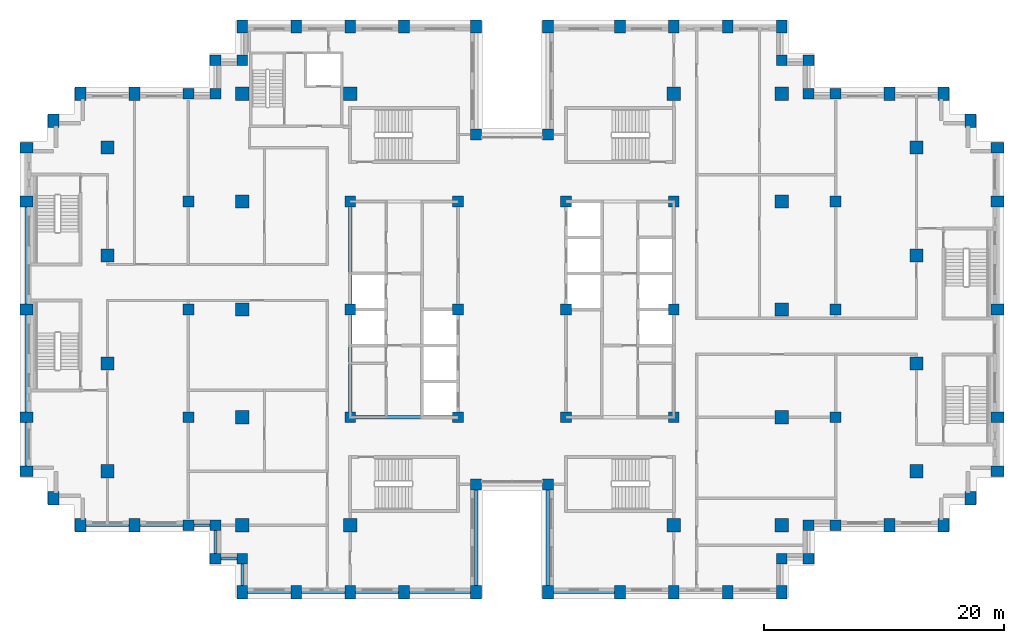
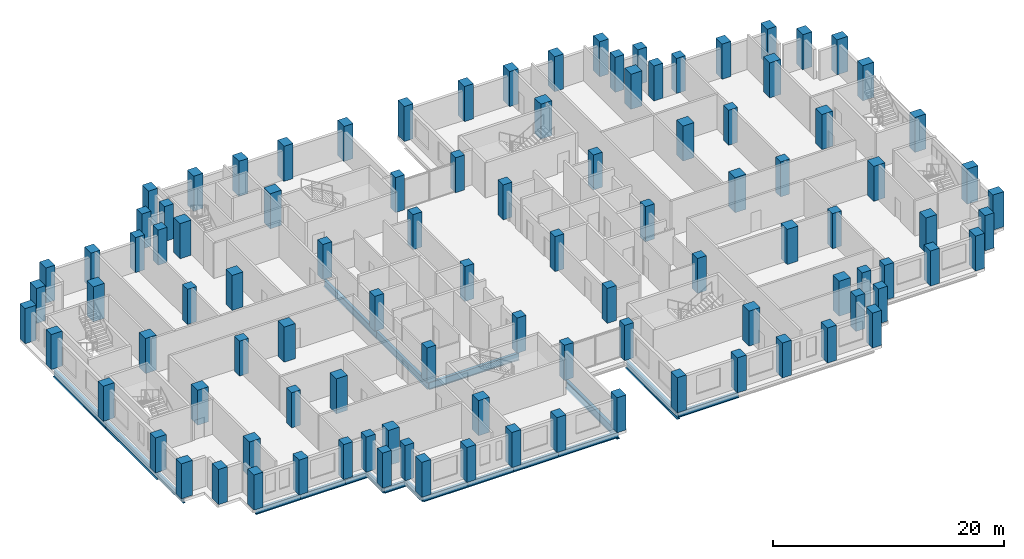
# One storey, part 1 of 15: 102 columns, 19 beams.
"""IFC4 building model written with IfcOpenShell, lengths in metres."""

from ifc_helpers import new_model, si_unit, direction, frame, origin, origin_2d, place, context, subcontext, project, spatial, rectangle, i_section, extrude, material, material_profile, profile_set, type_object, element, save


model = new_model("IFC4")

# Units and contexts
model_context = context("Model", 3, precision=1e-05, world=origin(), true_north=direction((0.0, 1.0)))
body_context = subcontext(model_context, "Body", "Model", "MODEL_VIEW")
ifc_project = project(units=[si_unit("LENGTHUNIT", "METRE"), si_unit("AREAUNIT", "SQUARE_METRE"), si_unit("VOLUMEUNIT", "CUBIC_METRE"), si_unit("PLANEANGLEUNIT", "RADIAN"), si_unit("MASSUNIT", "GRAM", prefix="KILO")], contexts=[model_context])

# Site, building, storey
site_placement = place(None, origin())
site = spatial("IfcSite", under=ifc_project, at=site_placement, CompositionType="ELEMENT")
building_placement = place(site_placement, origin())
building = spatial("IfcBuilding", under=site, at=building_placement, Name="Corbelhall Arena Tower", CompositionType="ELEMENT")
storey_placement = place(building_placement, frame((0.0, 0.0, 166.0)))
storey = spatial("IfcBuildingStorey", under=building, at=storey_placement, Name="L33", CompositionType="ELEMENT", Elevation=166.0)

# Columns
ifc_material_1 = material(Name="Concrete C80/95", Category="concrete")
ifc_material_profile_1 = material_profile(ifc_material_1, rectangle(XDim=1.10009765625, YDim=1.10009765625, at=origin_2d()))
ifc_profile_set_1 = profile_set([ifc_material_profile_1], Name="Concrete C80/95")
column_type_1 = type_object("IfcColumnType", Name="ST-COL-RC 1100x1100", PredefinedType="COLUMN", material=ifc_profile_set_1)
for number, where, z_axis, x_axis, name in (
    (1, (-33.75, 4.5, 0.0), (0.0, 0.0, 1.0), (1.0, 0.0, 0.0), "Column FIC+0450"),
    (2, (-33.75, 13.5, 0.0), (0.0, 0.0, 1.0), (1.0, 0.0, 0.0), "Column FIC+1350"),
    (3, (-33.75, -4.5, 0.0), (0.0, 0.0, 1.0), (1.0, 0.0, 0.0), "Column FIC-0450"),
    (4, (-33.75, -13.5, 0.0), (0.0, 0.0, 1.0), (1.0, 0.0, 0.0), "Column FIC-1350"),
    (5, (33.75, 4.5, 0.0), (0.0, 0.0, 1.0), (1.0, 0.0, 0.0), "Column FID+0450"),
    (6, (33.75, 13.5, 0.0), (0.0, 0.0, 1.0), (1.0, 0.0, 0.0), "Column FID+1350"),
    (7, (33.75, -4.5, 0.0), (0.0, 0.0, 1.0), (1.0, 0.0, 0.0), "Column FID-0450"),
    (8, (33.75, -13.5, 0.0), (0.0, 0.0, 1.0), (1.0, 0.0, 0.0), "Column FID-1350"),
    (9, (13.5, 18.0, 0.0), (0.0, 0.0, 1.0), (1.0, 0.0, 0.0), "Column IE13+1800"),
    (10, (13.5, -18.0, 0.0), (0.0, 0.0, 1.0), (1.0, 0.0, 0.0), "Column IE13-1800"),
    (11, (22.5, 0.0, 0.0), (0.0, 0.0, 1.0), (1.0, 0.0, 0.0), "Column IE22+0000"),
    (12, (22.5, 9.0, 0.0), (0.0, 0.0, 1.0), (1.0, 0.0, 0.0), "Column IE22+0900"),
    (13, (22.5, 18.0, 0.0), (0.0, 0.0, 1.0), (1.0, 0.0, 0.0), "Column IE22+1800"),
    (14, (22.5, -9.0, 0.0), (0.0, 0.0, 1.0), (1.0, 0.0, 0.0), "Column IE22-0900"),
    (15, (22.5, -18.0, 0.0), (0.0, 0.0, 1.0), (1.0, 0.0, 0.0), "Column IE22-1800"),
    (16, (-13.5, 18.0, 0.0), (0.0, 0.0, 1.0), (1.0, 0.0, 0.0), "Column IW13+1800"),
    (17, (-13.5, -18.0, 0.0), (0.0, 0.0, 1.0), (1.0, 0.0, 0.0), "Column IW13-1800"),
    (18, (-22.5, 0.0, 0.0), (0.0, 0.0, 1.0), (1.0, 0.0, 0.0), "Column IW22+0000"),
    (19, (-22.5, 9.0, 0.0), (0.0, 0.0, 1.0), (1.0, 0.0, 0.0), "Column IW22+0900"),
    (20, (-22.5, 18.0, 0.0), (0.0, 0.0, 1.0), (1.0, 0.0, 0.0), "Column IW22+1800"),
    (21, (-22.5, -9.0, 0.0), (0.0, 0.0, 1.0), (1.0, 0.0, 0.0), "Column IW22-0900"),
    (22, (-22.5, -18.0, 0.0), (0.0, 0.0, 1.0), (1.0, 0.0, 0.0), "Column IW22-1800"),
):
    element("IfcColumn", number, at=place(storey_placement, frame(where, z_axis=z_axis, x_axis=x_axis)), inside=storey, type_object=column_type_1, Name=name, PredefinedType="COLUMN", context=body_context, shape_type="SweptSolid", body=[
        extrude(rectangle(XDim=1.10009765625, YDim=1.10009765625, at=origin_2d()), origin(), (0.0, 0.0, 1.0), 3.699951171875),
    ])
ifc_material_profile_2 = material_profile(ifc_material_1, rectangle(XDim=0.89990234375, YDim=1.10009765625, at=origin_2d()))
ifc_profile_set_2 = profile_set([ifc_material_profile_2], Name="Concrete C80/95")
column_type_2 = type_object("IfcColumnType", Name="ST-COL-RC 900x1100", PredefinedType="COLUMN", material=ifc_profile_set_2)
for number, where, z_axis, x_axis, name in (
    (23, (-40.5, 0.0, 0.0), (0.0, 0.0, 1.0), (0.0, 1.0, 0.0), "Column FC+0000"),
    (24, (-40.5, 9.0, 0.0), (0.0, 0.0, 1.0), (0.0, 1.0, 0.0), "Column FC+0900"),
    (25, (-40.5, 13.5, 0.0), (0.0, 0.0, 1.0), (0.0, 1.0, 0.0), "Column FC+1350"),
    (26, (-40.5, -9.0, 0.0), (0.0, 0.0, 1.0), (0.0, 1.0, 0.0), "Column FC-0900"),
    (27, (-40.5, -13.5, 0.0), (0.0, 0.0, 1.0), (0.0, 1.0, 0.0), "Column FC-1350"),
    (28, (-38.25, 15.75, 0.0), (0.0, 0.0, 1.0), (1.0, 0.0, 0.0), "Column FCCN"),
    (29, (-38.25, -15.75, 0.0), (0.0, 0.0, 1.0), (1.0, 0.0, 0.0), "Column FCCS"),
    (30, (-31.5, 18.0, 0.0), (0.0, 0.0, 1.0), (1.0, 0.0, 0.0), "Column FCN3150"),
    (31, (-36.0, 18.0, 0.0), (0.0, 0.0, 1.0), (1.0, 0.0, 0.0), "Column FCN3600"),
    (32, (-31.5, -18.0, 0.0), (0.0, 0.0, 1.0), (1.0, 0.0, 0.0), "Column FCS3150"),
    (33, (-36.0, -18.0, 0.0), (0.0, 0.0, 1.0), (1.0, 0.0, 0.0), "Column FCS3600"),
    (34, (40.5, 0.0, 0.0), (0.0, 0.0, 1.0), (0.0, 1.0, 0.0), "Column FD+0000"),
    (35, (40.5, 9.0, 0.0), (0.0, 0.0, 1.0), (0.0, 1.0, 0.0), "Column FD+0900"),
    (36, (40.5, 13.5, 0.0), (0.0, 0.0, 1.0), (0.0, 1.0, 0.0), "Column FD+1350"),
    (37, (40.5, -9.0, 0.0), (0.0, 0.0, 1.0), (0.0, 1.0, 0.0), "Column FD-0900"),
    (38, (40.5, -13.5, 0.0), (0.0, 0.0, 1.0), (0.0, 1.0, 0.0), "Column FD-1350"),
    (39, (38.25, 15.75, 0.0), (0.0, 0.0, 1.0), (1.0, 0.0, 0.0), "Column FDCN"),
    (40, (38.25, -15.75, 0.0), (0.0, 0.0, 1.0), (1.0, 0.0, 0.0), "Column FDCS"),
    (41, (31.5, 18.0, 0.0), (0.0, 0.0, 1.0), (1.0, 0.0, 0.0), "Column FDN3150"),
    (42, (36.0, 18.0, 0.0), (0.0, 0.0, 1.0), (1.0, 0.0, 0.0), "Column FDN3600"),
    (43, (31.5, -18.0, 0.0), (0.0, 0.0, 1.0), (1.0, 0.0, 0.0), "Column FDS3150"),
    (44, (36.0, -18.0, 0.0), (0.0, 0.0, 1.0), (1.0, 0.0, 0.0), "Column FDS3600"),
    (45, (3.0, 23.60009765625, 0.0), (0.0, 0.0, 1.0), (1.0, 0.0, 0.0), "Column PNE0300"),
    (46, (9.0, 23.60009765625, 0.0), (0.0, 0.0, 1.0), (1.0, 0.0, 0.0), "Column PNE0900"),
    (47, (13.5, 23.60009765625, 0.0), (0.0, 0.0, 1.0), (1.0, 0.0, 0.0), "Column PNE1350"),
    (48, (18.0, 23.60009765625, 0.0), (0.0, 0.0, 1.0), (1.0, 0.0, 0.0), "Column PNE1800"),
    (49, (22.5, 23.60009765625, 0.0), (0.0, 0.0, 1.0), (1.0, 0.0, 0.0), "Column PNE2250"),
    (50, (-3.0, 23.60009765625, 0.0), (0.0, 0.0, 1.0), (1.0, 0.0, 0.0), "Column PNW0300"),
    (51, (-9.0, 23.60009765625, 0.0), (0.0, 0.0, 1.0), (1.0, 0.0, 0.0), "Column PNW0900"),
    (52, (-13.5, 23.60009765625, 0.0), (0.0, 0.0, 1.0), (1.0, 0.0, 0.0), "Column PNW1350"),
    (53, (-18.0, 23.60009765625, 0.0), (0.0, 0.0, 1.0), (1.0, 0.0, 0.0), "Column PNW1800"),
    (54, (-22.5, 23.60009765625, 0.0), (0.0, 0.0, 1.0), (1.0, 0.0, 0.0), "Column PNW2250"),
    (55, (3.0, -23.60009765625, 0.0), (0.0, 0.0, 1.0), (1.0, 0.0, 0.0), "Column PSE0300"),
    (56, (9.0, -23.60009765625, 0.0), (0.0, 0.0, 1.0), (1.0, 0.0, 0.0), "Column PSE0900"),
    (57, (13.5, -23.60009765625, 0.0), (0.0, 0.0, 1.0), (1.0, 0.0, 0.0), "Column PSE1350"),
    (58, (18.0, -23.60009765625, 0.0), (0.0, 0.0, 1.0), (1.0, 0.0, 0.0), "Column PSE1800"),
    (59, (22.5, -23.60009765625, 0.0), (0.0, 0.0, 1.0), (1.0, 0.0, 0.0), "Column PSE2250"),
    (60, (-3.0, -23.60009765625, 0.0), (0.0, 0.0, 1.0), (1.0, 0.0, 0.0), "Column PSW0300"),
    (61, (-9.0, -23.60009765625, 0.0), (0.0, 0.0, 1.0), (1.0, 0.0, 0.0), "Column PSW0900"),
    (62, (-13.5, -23.60009765625, 0.0), (0.0, 0.0, 1.0), (1.0, 0.0, 0.0), "Column PSW1350"),
    (63, (-18.0, -23.60009765625, 0.0), (0.0, 0.0, 1.0), (1.0, 0.0, 0.0), "Column PSW1800"),
    (64, (-22.5, -23.60009765625, 0.0), (0.0, 0.0, 1.0), (1.0, 0.0, 0.0), "Column PSW2250"),
):
    element("IfcColumn", number, at=place(storey_placement, frame(where, z_axis=z_axis, x_axis=x_axis)), inside=storey, type_object=column_type_2, Name=name, PredefinedType="COLUMN", context=body_context, shape_type="SweptSolid", body=[
        extrude(rectangle(XDim=0.89990234375, YDim=1.10009765625, at=origin_2d()), origin(), (0.0, 0.0, 1.0), 3.699951171875),
    ])
ifc_material_profile_3 = material_profile(ifc_material_1, rectangle(XDim=0.89990234375, YDim=0.89990234375, at=origin_2d()))
ifc_profile_set_3 = profile_set([ifc_material_profile_3], Name="Concrete C80/95")
column_type_3 = type_object("IfcColumnType", Name="ST-COL-RC 900x900", PredefinedType="COLUMN", material=ifc_profile_set_3)
for number, where, z_axis, x_axis, name in (
    (65, (4.5, 0.0, 0.0), (0.0, 0.0, 1.0), (1.0, 0.0, 0.0), "Column KE+0450+0000"),
    (66, (4.5, 9.0, 0.0), (0.0, 0.0, 1.0), (1.0, 0.0, 0.0), "Column KE+0450+0900"),
    (67, (4.5, -9.0, 0.0), (0.0, 0.0, 1.0), (1.0, 0.0, 0.0), "Column KE+0450-0900"),
    (68, (13.5, 0.0, 0.0), (0.0, 0.0, 1.0), (1.0, 0.0, 0.0), "Column KE+1350+0000"),
    (69, (13.5, 9.0, 0.0), (0.0, 0.0, 1.0), (1.0, 0.0, 0.0), "Column KE+1350+0900"),
    (70, (13.5, -9.0, 0.0), (0.0, 0.0, 1.0), (1.0, 0.0, 0.0), "Column KE+1350-0900"),
    (71, (-4.5, 0.0, 0.0), (0.0, 0.0, 1.0), (1.0, 0.0, 0.0), "Column KW-0450+0000"),
    (72, (-4.5, 9.0, 0.0), (0.0, 0.0, 1.0), (1.0, 0.0, 0.0), "Column KW-0450+0900"),
    (73, (-4.5, -9.0, 0.0), (0.0, 0.0, 1.0), (1.0, 0.0, 0.0), "Column KW-0450-0900"),
    (74, (-13.5, 0.0, 0.0), (0.0, 0.0, 1.0), (1.0, 0.0, 0.0), "Column KW-1350+0000"),
    (75, (-13.5, 9.0, 0.0), (0.0, 0.0, 1.0), (1.0, 0.0, 0.0), "Column KW-1350+0900"),
    (76, (-13.5, -9.0, 0.0), (0.0, 0.0, 1.0), (1.0, 0.0, 0.0), "Column KW-1350-0900"),
    (77, (27.0, 0.0, 0.0), (0.0, 0.0, 1.0), (1.0, 0.0, 0.0), "Column PE+0000"),
    (78, (27.0, 9.0, 0.0), (0.0, 0.0, 1.0), (1.0, 0.0, 0.0), "Column PE+0900"),
    (79, (27.0, 18.0, 0.0), (0.0, 0.0, 1.0), (1.0, 0.0, 0.0), "Column PE+1800"),
    (80, (27.0, -9.0, 0.0), (0.0, 0.0, 1.0), (1.0, 0.0, 0.0), "Column PE-0900"),
    (81, (27.0, -18.0, 0.0), (0.0, 0.0, 1.0), (1.0, 0.0, 0.0), "Column PE-1800"),
    (82, (-27.0, 0.0, 0.0), (0.0, 0.0, 1.0), (1.0, 0.0, 0.0), "Column PW+0000"),
    (83, (-27.0, 9.0, 0.0), (0.0, 0.0, 1.0), (1.0, 0.0, 0.0), "Column PW+0900"),
    (84, (-27.0, 18.0, 0.0), (0.0, 0.0, 1.0), (1.0, 0.0, 0.0), "Column PW+1800"),
    (85, (-27.0, -9.0, 0.0), (0.0, 0.0, 1.0), (1.0, 0.0, 0.0), "Column PW-0900"),
    (86, (-27.0, -18.0, 0.0), (0.0, 0.0, 1.0), (1.0, 0.0, 0.0), "Column PW-1800"),
    (87, (3.0, 14.60009765625, 0.0), (0.0, 0.0, 1.0), (1.0, 0.0, 0.0), "Column SLNE2"),
    (88, (-3.0, 14.60009765625, 0.0), (0.0, 0.0, 1.0), (1.0, 0.0, 0.0), "Column SLNW2"),
    (89, (3.0, -14.60009765625, 0.0), (0.0, 0.0, 1.0), (1.0, 0.0, 0.0), "Column SLSE2"),
    (90, (-3.0, -14.60009765625, 0.0), (0.0, 0.0, 1.0), (1.0, 0.0, 0.0), "Column SLSW2"),
    (91, (22.5, 20.800048828125, 0.0), (0.0, 0.0, 1.0), (1.0, 0.0, 0.0), "Column XNE1"),
    (92, (24.75, 20.800048828125, 0.0), (0.0, 0.0, 1.0), (1.0, 0.0, 0.0), "Column XNE2"),
    (93, (24.75, 18.0, 0.0), (0.0, 0.0, 1.0), (1.0, 0.0, 0.0), "Column XNE3"),
    (94, (-22.5, 20.800048828125, 0.0), (0.0, 0.0, 1.0), (1.0, 0.0, 0.0), "Column XNW1"),
    (95, (-24.75, 20.800048828125, 0.0), (0.0, 0.0, 1.0), (1.0, 0.0, 0.0), "Column XNW2"),
    (96, (-24.75, 18.0, 0.0), (0.0, 0.0, 1.0), (1.0, 0.0, 0.0), "Column XNW3"),
    (97, (22.5, -20.800048828125, 0.0), (0.0, 0.0, 1.0), (1.0, 0.0, 0.0), "Column XSE1"),
    (98, (24.75, -20.800048828125, 0.0), (0.0, 0.0, 1.0), (1.0, 0.0, 0.0), "Column XSE2"),
    (99, (24.75, -18.0, 0.0), (0.0, 0.0, 1.0), (1.0, 0.0, 0.0), "Column XSE3"),
    (100, (-22.5, -20.800048828125, 0.0), (0.0, 0.0, 1.0), (1.0, 0.0, 0.0), "Column XSW1"),
    (101, (-24.75, -20.800048828125, 0.0), (0.0, 0.0, 1.0), (1.0, 0.0, 0.0), "Column XSW2"),
    (102, (-24.75, -18.0, 0.0), (0.0, 0.0, 1.0), (1.0, 0.0, 0.0), "Column XSW3"),
):
    element("IfcColumn", number, at=place(storey_placement, frame(where, z_axis=z_axis, x_axis=x_axis)), inside=storey, type_object=column_type_3, Name=name, PredefinedType="COLUMN", context=body_context, shape_type="SweptSolid", body=[
        extrude(rectangle(XDim=0.89990234375, YDim=0.89990234375, at=origin_2d()), origin(), (0.0, 0.0, 1.0), 3.699951171875),
    ])

# Beams
ifc_material_2 = material(Name="Steel ASTM A992 Gr50", Category="steel")
ifc_material_profile_4 = material_profile(ifc_material_2, i_section(OverallWidth=0.2666015625, OverallDepth=0.761962890625, WebThickness=0.014404296875, FlangeThickness=0.021484375, at=origin_2d()))
ifc_profile_set_4 = profile_set([ifc_material_profile_4], Name="Steel ASTM A992 Gr50")
beam_type_1 = type_object("IfcBeamType", Name="ST-BEAM-W30x116", PredefinedType="BEAM", material=ifc_profile_set_4)
for number, where, z_axis, x_axis, name in (
    (103, (-13.5, -9.0, -0.680908203125), (0.0, 1.0, 0.0), (-1.0, 0.0, 0.0), "Beam CEW 1"),
    (104, (-13.5, 0.0, -0.680908203125), (0.0, 1.0, 0.0), (-1.0, 0.0, 0.0), "Beam CEW 2"),
    (105, (-13.5, -9.0, -0.680908203125), (1.0, 0.0, 0.0), (0.0, 1.0, 0.0), "Beam CEW 5"),
):
    element("IfcBeam", number, at=place(storey_placement, frame(where, z_axis=z_axis, x_axis=x_axis)), inside=storey, type_object=beam_type_1, Name=name, PredefinedType="BEAM", context=body_context, shape_type="SweptSolid", body=[
        extrude(i_section(OverallWidth=0.2666015625, OverallDepth=0.761962890625, WebThickness=0.014404296875, FlangeThickness=0.021484375, at=origin_2d()), origin(), (0.0, 0.0, 1.0), 9.0),
    ])
ifc_material_profile_5 = material_profile(ifc_material_2, i_section(OverallWidth=0.22900390625, OverallDepth=0.612060546875, WebThickness=0.011962890625, FlangeThickness=0.01953125, at=origin_2d()))
ifc_profile_set_5 = profile_set([ifc_material_profile_5], Name="Steel ASTM A992 Gr50")
beam_type_2 = type_object("IfcBeamType", Name="ST-SPANDREL-W24x84", PredefinedType="SPANDREL", material=ifc_profile_set_5)
for number, where, z_axis, x_axis, name in (
    (106, (-40.5, -13.5, -0.60595703125), (0.0, 1.0, 0.0), (-1.0, 0.0, 0.0), "Beam SP 4"),
    (107, (-31.5, -18.0, -0.60595703125), (-1.0, 0.0, 0.0), (0.0, -1.0, 0.0), "Beam SP 7"),
):
    element("IfcBeam", number, at=place(storey_placement, frame(where, z_axis=z_axis, x_axis=x_axis)), inside=storey, type_object=beam_type_2, Name=name, PredefinedType="SPANDREL", context=body_context, shape_type="SweptSolid", body=[
        extrude(i_section(OverallWidth=0.22900390625, OverallDepth=0.612060546875, WebThickness=0.011962890625, FlangeThickness=0.01953125, at=origin_2d()), origin(), (0.0, 0.0, 1.0), 4.5),
    ])
for number, where, z_axis, x_axis, name in (
    (108, (9.0, -23.60009765625, -0.60595703125), (-1.0, 0.0, 0.0), (0.0, -1.0, 0.0), "Beam SP 28"),
    (109, (-3.0, -23.60009765625, -0.60595703125), (-1.0, 0.0, 0.0), (0.0, -1.0, 0.0), "Beam SP 32"),
):
    element("IfcBeam", number, at=place(storey_placement, frame(where, z_axis=z_axis, x_axis=x_axis)), inside=storey, type_object=beam_type_2, Name=name, PredefinedType="SPANDREL", context=body_context, shape_type="SweptSolid", body=[
        extrude(i_section(OverallWidth=0.22900390625, OverallDepth=0.612060546875, WebThickness=0.011962890625, FlangeThickness=0.01953125, at=origin_2d()), origin(), (0.0, 0.0, 1.0), 6.0),
    ])
for number, where, z_axis, x_axis, name in (
    (110, (-9.0, -23.60009765625, -0.60595703125), (-1.0, 0.0, 0.0), (0.0, -1.0, 0.0), "Beam SP 33"),
    (111, (-13.5, -23.60009765625, -0.60595703125), (-1.0, 0.0, 0.0), (0.0, -1.0, 0.0), "Beam SP 34"),
    (112, (-18.0, -23.60009765625, -0.60595703125), (-1.0, 0.0, 0.0), (0.0, -1.0, 0.0), "Beam SP 35"),
):
    element("IfcBeam", number, at=place(storey_placement, frame(where, z_axis=z_axis, x_axis=x_axis)), inside=storey, type_object=beam_type_2, Name=name, PredefinedType="SPANDREL", context=body_context, shape_type="SweptSolid", body=[
        extrude(i_section(OverallWidth=0.22900390625, OverallDepth=0.612060546875, WebThickness=0.011962890625, FlangeThickness=0.01953125, at=origin_2d()), origin(), (0.0, 0.0, 1.0), 4.5),
    ])
beam_1_placement = place(storey_placement, frame((-22.5, -23.60009765625, -0.60595703125), z_axis=(0.0, 1.0, 0.0), x_axis=(-1.0, 0.0, 0.0)))
element("IfcBeam", 113, at=beam_1_placement, inside=storey, type_object=beam_type_2, Name="Beam SP 36", PredefinedType="SPANDREL", context=body_context, shape_type="SweptSolid", body=[
    extrude(i_section(OverallWidth=0.22900390625, OverallDepth=0.612060546875, WebThickness=0.011962890625, FlangeThickness=0.01953125, at=origin_2d()), origin(), (0.0, 0.0, 1.0), 2.800048828125),
])
beam_2_placement = place(storey_placement, frame((-27.0, -18.0, -0.60595703125), z_axis=(-1.0, 0.0, 0.0), x_axis=(0.0, -1.0, 0.0)))
element("IfcBeam", 114, at=beam_2_placement, inside=storey, type_object=beam_type_2, Name="Beam SP 38", PredefinedType="SPANDREL", context=body_context, shape_type="SweptSolid", body=[
    extrude(i_section(OverallWidth=0.22900390625, OverallDepth=0.612060546875, WebThickness=0.011962890625, FlangeThickness=0.01953125, at=origin_2d()), origin(), (0.0, 0.0, 1.0), 4.5),
])
beam_3_placement = place(storey_placement, frame((-22.5, -20.800048828125, -0.60595703125), z_axis=(-1.0, 0.0, 0.0), x_axis=(0.0, -1.0, 0.0)))
element("IfcBeam", 115, at=beam_3_placement, inside=storey, type_object=beam_type_2, Name="Beam SP 52", PredefinedType="SPANDREL", context=body_context, shape_type="SweptSolid", body=[
    extrude(i_section(OverallWidth=0.22900390625, OverallDepth=0.612060546875, WebThickness=0.011962890625, FlangeThickness=0.01953125, at=origin_2d()), origin(), (0.0, 0.0, 1.0), 2.25),
])
beam_4_placement = place(storey_placement, frame((-24.75, -20.800048828125, -0.60595703125), z_axis=(0.0, 1.0, 0.0), x_axis=(-1.0, 0.0, 0.0)))
element("IfcBeam", 116, at=beam_4_placement, inside=storey, type_object=beam_type_2, Name="Beam SP 53", PredefinedType="SPANDREL", context=body_context, shape_type="SweptSolid", body=[
    extrude(i_section(OverallWidth=0.22900390625, OverallDepth=0.612060546875, WebThickness=0.011962890625, FlangeThickness=0.01953125, at=origin_2d()), origin(), (0.0, 0.0, 1.0), 2.800048828125),
])
beam_5_placement = place(storey_placement, frame((-24.75, -18.0, -0.60595703125), z_axis=(-1.0, 0.0, 0.0), x_axis=(0.0, -1.0, 0.0)))
element("IfcBeam", 117, at=beam_5_placement, inside=storey, type_object=beam_type_2, Name="Beam SP 54", PredefinedType="SPANDREL", context=body_context, shape_type="SweptSolid", body=[
    extrude(i_section(OverallWidth=0.22900390625, OverallDepth=0.612060546875, WebThickness=0.011962890625, FlangeThickness=0.01953125, at=origin_2d()), origin(), (0.0, 0.0, 1.0), 2.25),
])
ifc_material_profile_6 = material_profile(ifc_material_2, i_section(OverallWidth=0.2919921875, OverallDepth=0.845703125, WebThickness=0.015380859375, FlangeThickness=0.0244140625, at=origin_2d()))
ifc_profile_set_6 = profile_set([ifc_material_profile_6], Name="Steel ASTM A992 Gr50")
beam_type_3 = type_object("IfcBeamType", Name="ST-SPANDREL-W33x141", PredefinedType="SPANDREL", material=ifc_profile_set_6)
for number, where, z_axis, x_axis, name in (
    (118, (-40.5, 0.0, -0.722900390625), (0.0, 1.0, 0.0), (-1.0, 0.0, 0.0), "Beam SP 1"),
    (119, (-40.5, -9.0, -0.722900390625), (0.0, 1.0, 0.0), (-1.0, 0.0, 0.0), "Beam SP 3"),
    (120, (3.0, -23.60009765625, -0.722900390625), (0.0, 1.0, 0.0), (-1.0, 0.0, 0.0), "Beam SP 27"),
    (121, (-3.0, -14.60009765625, -0.722900390625), (0.0, -1.0, 0.0), (1.0, 0.0, 0.0), "Beam SP 42"),
):
    element("IfcBeam", number, at=place(storey_placement, frame(where, z_axis=z_axis, x_axis=x_axis)), inside=storey, type_object=beam_type_3, Name=name, PredefinedType="SPANDREL", context=body_context, shape_type="SweptSolid", body=[
        extrude(i_section(OverallWidth=0.2919921875, OverallDepth=0.845703125, WebThickness=0.015380859375, FlangeThickness=0.0244140625, at=origin_2d()), origin(), (0.0, 0.0, 1.0), 9.0),
    ])

save(model, "model.ifc")
